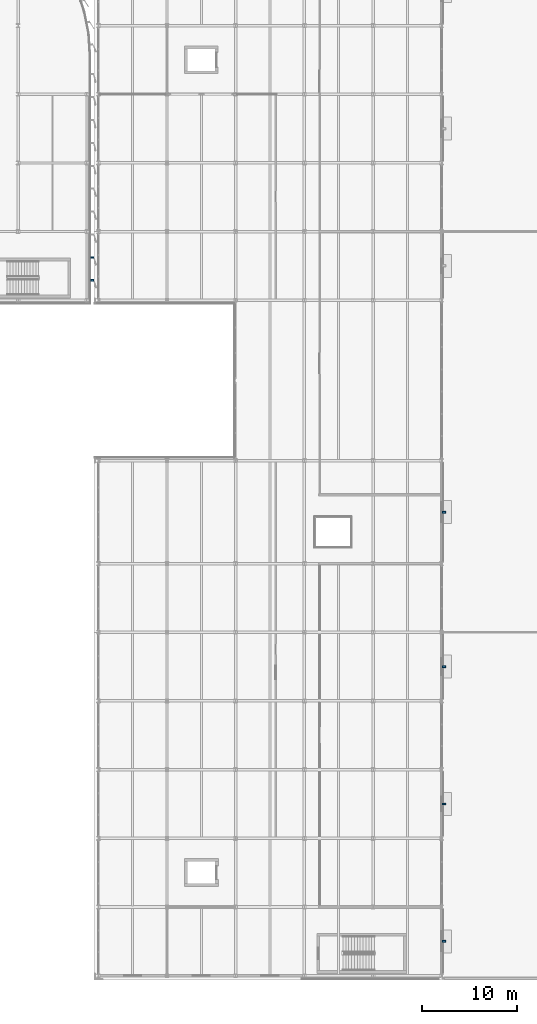
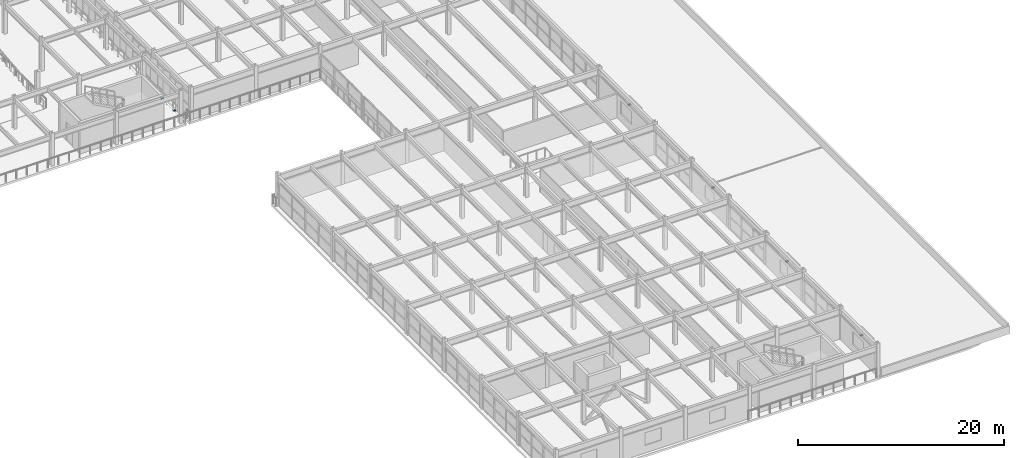
# One storey, part 61 of 80: 6 discrete accessories.
"""IFC4 building model written with IfcOpenShell, lengths in metres."""

from ifc_helpers import new_model, si_unit, direction, frame, origin, origin_2d, place, context, subcontext, project, spatial, rectangle, extrude, material, type_object, element, save


model = new_model("IFC4")

# Units and contexts
model_context = context("Model", 3, precision=1e-05, world=origin(), true_north=direction((0.0, 1.0)))
body_context = subcontext(model_context, "Body", "Model", "MODEL_VIEW")
ifc_project = project(units=[si_unit("LENGTHUNIT", "METRE"), si_unit("AREAUNIT", "SQUARE_METRE"), si_unit("VOLUMEUNIT", "CUBIC_METRE"), si_unit("PLANEANGLEUNIT", "RADIAN"), si_unit("MASSUNIT", "GRAM", prefix="KILO")], contexts=[model_context])

# Site, building, storey
site_placement = place(None, origin())
site = spatial("IfcSite", under=ifc_project, at=site_placement, CompositionType="ELEMENT")
building_placement = place(site_placement, origin())
building = spatial("IfcBuilding", under=site, at=building_placement, Name="Vaelcorin Mobility Hub", CompositionType="ELEMENT")
storey_placement = place(building_placement, frame((0.0, 0.0, 9.300048828125)))
storey = spatial("IfcBuildingStorey", under=building, at=storey_placement, Name="L02", CompositionType="ELEMENT", Elevation=9.300048828125)

# Discrete accessories
ifc_material = material(Name="Galvanised structural steel ASTM A36", Category="steel")
discrete_accessory_type = type_object("IfcDiscreteAccessoryType", Name="ACC-BRK-FIN", PredefinedType="BRACKET", material=ifc_material)
for number, where, z_axis, x_axis, name in (
    (1, (152.969970703125, 81.300048828125, -0.16015625), (0.0, 0.0, 1.0), (1.0, 0.0, 0.0), "Aerofoil Outrigger Bracket FIN-V2E-L02-E-BK-09"),
    (2, (152.969970703125, 78.89990234375, -0.16015625), (0.0, 0.0, 1.0), (1.0, 0.0, 0.0), "Aerofoil Outrigger Bracket FIN-V2E-L02-E-BK-10"),
):
    element("IfcDiscreteAccessory", number, at=place(storey_placement, frame(where, z_axis=z_axis, x_axis=x_axis)), inside=storey, type_object=discrete_accessory_type, Name=name, PredefinedType="BRACKET", context=body_context, shape_type="SweptSolid", body=[
        extrude(rectangle(XDim=0.280029296875, YDim=0.159912109375, at=origin_2d()), origin(), (0.0, 0.0, 1.0), 0.159912109375),
    ])
for number, where, z_axis, x_axis, name in (
    (3, (189.85009765625, 9.60009765625, 2.408203125), (0.0, 0.0, 1.0), (1.0, 0.0, 0.0), "Sun-Hood Bracket L02-01"),
    (4, (189.85009765625, 24.0, 2.408203125), (0.0, 0.0, 1.0), (1.0, 0.0, 0.0), "Sun-Hood Bracket L02-03"),
    (5, (189.85009765625, 38.39990234375, 2.408203125), (0.0, 0.0, 1.0), (1.0, 0.0, 0.0), "Sun-Hood Bracket L02-05"),
    (6, (189.85009765625, 54.60009765625, 2.408203125), (0.0, 0.0, 1.0), (1.0, 0.0, 0.0), "Sun-Hood Bracket L02-07"),
):
    element("IfcDiscreteAccessory", number, at=place(storey_placement, frame(where, z_axis=z_axis, x_axis=x_axis)), inside=storey, type_object=discrete_accessory_type, Name=name, PredefinedType="BRACKET", context=body_context, shape_type="SweptSolid", body=[
        extrude(rectangle(XDim=0.35009765625, YDim=0.199951171875, at=origin_2d()), origin(), (0.0, 0.0, 1.0), 0.139892578125),
    ])

save(model, "model.ifc")
